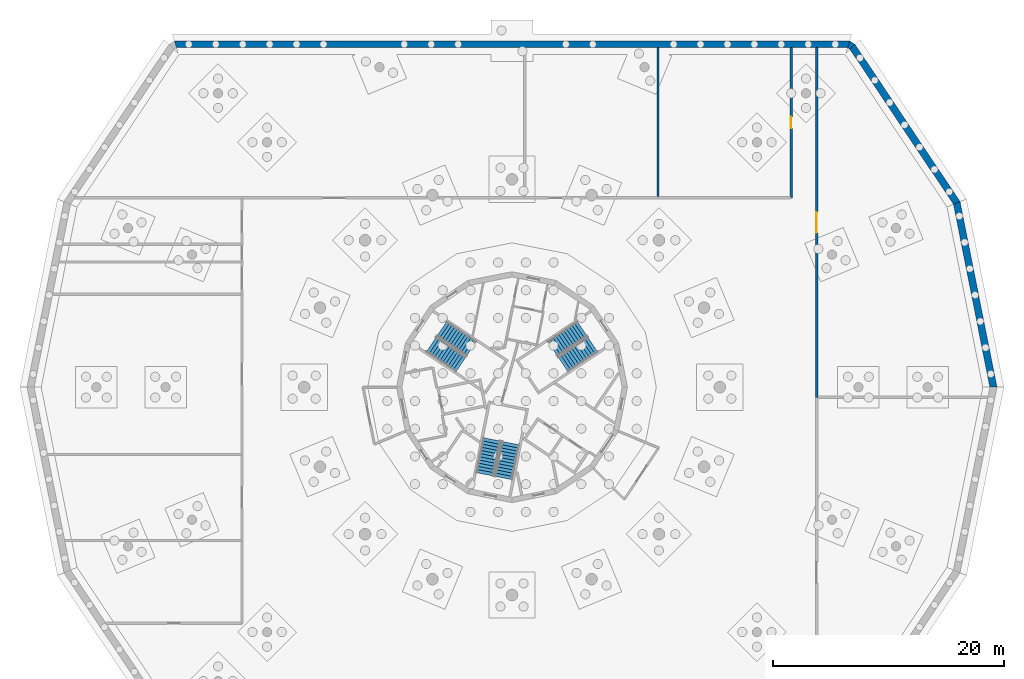
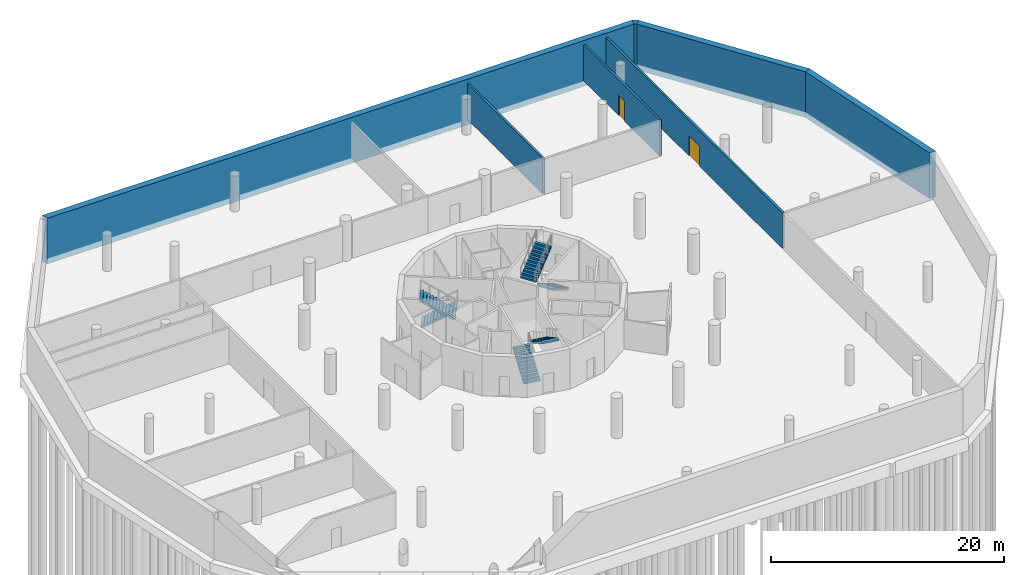
# One storey, part 7 of 8: 7 walls, 6 stair flights, 2 doors, 2 openings, 3 elements without a shape of their own.
"""IFC4 building model written with IfcOpenShell, lengths in metres."""

from ifc_helpers import new_model, si_unit, direction, frame, frame_2d, origin, place, context, subcontext, project, spatial, polyline, rectangle, outline, extrude, material, layer, layer_set, type_object, element, fill, aggregate, save


model = new_model("IFC4")

# Units and contexts
model_context = context("Model", 3, precision=1e-05, world=origin(), true_north=direction((0.0, 1.0)))
body_context = subcontext(model_context, "Body", "Model", "MODEL_VIEW")
ifc_project = project(units=[si_unit("LENGTHUNIT", "METRE"), si_unit("AREAUNIT", "SQUARE_METRE"), si_unit("VOLUMEUNIT", "CUBIC_METRE"), si_unit("PLANEANGLEUNIT", "RADIAN"), si_unit("MASSUNIT", "GRAM", prefix="KILO")], contexts=[model_context])

# Site, building, storey
site_placement = place(None, origin())
site = spatial("IfcSite", under=ifc_project, at=site_placement, CompositionType="ELEMENT")
building_placement = place(site_placement, origin())
building = spatial("IfcBuilding", under=site, at=building_placement, Name="Ceibo Conservatory and Research Tower", CompositionType="ELEMENT")
storey_placement = place(building_placement, frame((0.0, 0.0, -4.199951171875)))
storey = spatial("IfcBuildingStorey", under=building, at=storey_placement, Name="B1", CompositionType="ELEMENT", Elevation=-4.199951171875)

# Wall
ifc_material_1 = material(Name="Masonry blockwork", Category="masonry")
ifc_layer_1 = layer(ifc_material_1, 0.199951171875)
ifc_layer_set_1 = layer_set([ifc_layer_1], Name="Masonry blockwork")
wall_type_1 = type_object("IfcWallType", Name="Compartment wall 200 EI 120", PredefinedType="SOLIDWALL", material=ifc_layer_set_1)
wall_1_placement = place(storey_placement, frame((60.639892578125, 149.419921875, 0.0), z_axis=(0.0, 0.0, 1.0), x_axis=(0.0, -1.0, 0.0)))
element("IfcWall", 1, at=wall_1_placement, inside=storey, type_object=wall_type_1, Name="Partition B1.017", PredefinedType="SOLIDWALL", context=body_context, shape_type="SweptSolid", body=[
    extrude(rectangle(XDim=12.9248046875, YDim=0.199951171875, at=frame_2d((6.46240234375, 0.0))), origin(), (0.0, 0.0, 1.0), 3.75),
])

# Wall, opening, door
wall_2_placement = place(storey_placement, frame((72.179931640625, 149.419921875, 0.0), z_axis=(0.0, 0.0, 1.0), x_axis=(0.0, -1.0, 0.0)))
wall_2 = element("IfcWall", 2, at=wall_2_placement, inside=storey, type_object=wall_type_1, Name="Partition B1.020", PredefinedType="SOLIDWALL", context=body_context, shape_type="SweptSolid", body=[
    extrude(rectangle(XDim=13.02001953125, YDim=0.199951171875, at=frame_2d((6.510009765625, 0.0))), origin(), (0.0, 0.0, 1.0), 3.75),
])
opening_1_placement = place(wall_2_placement, frame((6.010009765625, 0.0, 0.0)))
opening_1 = element("IfcOpeningElement", 3, at=opening_1_placement, cuts=wall_2, Name="Opening PB1-09", PredefinedType="OPENING", context=body_context, shape_type="SweptSolid", body=[
    extrude(rectangle(XDim=1.0, YDim=2.10009765625, at=frame_2d((0.5, 1.050048828125))), frame((0.0, 0.10986328125, 0.0), z_axis=(0.0, -1.0, 0.0), x_axis=(1.0, 0.0, 0.0)), (0.0, 0.0, 1.0), 0.219970703125),
])
ifc_material_2 = material(Name="Galvanised sheet steel DX51D", Category="steel")
door_type_1 = type_object("IfcDoorType", Name="Door fire single wide 1000x2100 EI 120 (left hand)", OperationType="SINGLE_SWING_LEFT", PredefinedType="DOOR", material=ifc_material_2)
door_1_placement = place(opening_1_placement, origin())
door_1 = element("IfcDoor", 4, at=door_1_placement, inside=storey, type_object=door_type_1, Name="Cold store insulated door", OperationType="SINGLE_SWING_LEFT", OverallHeight=2.10009765625, OverallWidth=1.0, PredefinedType="DOOR", context=body_context, shape_type="SweptSolid", body=[
    extrude(rectangle(XDim=1.0, YDim=2.10009765625, at=frame_2d((0.5, 1.050048828125))), frame((0.0, 0.02490234375, 0.0), z_axis=(0.0, -1.0, 0.0), x_axis=(1.0, 0.0, 0.0)), (0.0, 0.0, 1.0), 0.050048828125),
])
fill(opening_1, door_1)

wall_3_placement = place(storey_placement, frame((74.38818359375, 119.1201171875, 0.0), z_axis=(0.0, 0.0, 1.0), x_axis=(0.0, 1.0, 0.0)))
wall_3 = element("IfcWall", 5, at=wall_3_placement, inside=storey, type_object=wall_type_1, Name="Partition B1.023", PredefinedType="SOLIDWALL", context=body_context, shape_type="SweptSolid", body=[
    extrude(rectangle(XDim=30.2998046875, YDim=0.199951171875, at=frame_2d((15.14990234375, 0.0))), origin(), (0.0, 0.0, 1.0), 3.75),
])
opening_2_placement = place(wall_3_placement, frame((14.25, 0.0, 0.0)))
opening_2 = element("IfcOpeningElement", 6, at=opening_2_placement, cuts=wall_3, Name="Opening PB1-10", PredefinedType="OPENING", context=body_context, shape_type="SweptSolid", body=[
    extrude(rectangle(XDim=1.800048828125, YDim=2.10009765625, at=frame_2d((0.89990234375, 1.050048828125))), frame((0.0, 0.10986328125, 0.0), z_axis=(0.0, -1.0, 0.0), x_axis=(1.0, 0.0, 0.0)), (0.0, 0.0, 1.0), 0.219970703125),
])
door_type_2 = type_object("IfcDoorType", Name="Door plant double 1800x2100 EI 120", OperationType="DOUBLE_DOOR_SINGLE_SWING", PredefinedType="DOOR", material=ifc_material_2)
door_2_placement = place(opening_2_placement, frame((1.800048828125, 0.0, 0.0), z_axis=(0.0, 0.0, 1.0), x_axis=(-1.0, 0.0, 0.0)))
door_2 = element("IfcDoor", 7, at=door_2_placement, inside=storey, type_object=door_type_2, Name="Door PB1-10", OperationType="DOUBLE_DOOR_SINGLE_SWING", OverallHeight=2.10009765625, OverallWidth=1.800048828125, PredefinedType="DOOR", context=body_context, shape_type="SweptSolid", body=[
    extrude(rectangle(XDim=1.800048828125, YDim=2.10009765625, at=frame_2d((0.89990234375, 1.050048828125))), frame((0.0, 0.02490234375, 0.0), z_axis=(0.0, -1.0, 0.0), x_axis=(1.0, 0.0, 0.0)), (0.0, 0.0, 1.0), 0.050048828125),
])
fill(opening_2, door_2)

# Walls
ifc_material_3 = material(Name="Concrete C40/50", Category="concrete")
ifc_layer_2 = layer(ifc_material_3, 0.60009765625)
ifc_layer_set_2 = layer_set([ifc_layer_2], Name="Concrete C40/50")
wall_type_2 = type_object("IfcWallType", Name="RC retaining wall 600 C40", PredefinedType="SOLIDWALL", material=ifc_layer_set_2)
wall_4_placement = place(storey_placement, frame((77.482177734375, 149.482177734375, -0.60009765625), z_axis=(0.0, 0.0, 1.0), x_axis=(-0.831474929591, 0.555562275053, 0.0)))
element("IfcWall", 8, at=wall_4_placement, inside=storey, type_object=wall_type_2, Name="Retaining wall 01", PredefinedType="SOLIDWALL", context=body_context, shape_type="SweptSolid", body=[
    extrude(outline(polyline([(-0.0595703125, -0.300048828125), (0.483154296875, -0.300048828125), (0.301025390625, 0.300048828125), (0.0595703125, 0.300048828125), (-0.0595703125, -0.300048828125)])), origin(), (0.0, 0.0, 1.0), 4.800048828125),
])
wall_5_placement = place(storey_placement, frame((77.15625, 149.699951171875, -0.60009765625), z_axis=(0.0, 0.0, 1.0), x_axis=(-1.0, 0.0, 0.0)))
element("IfcWall", 9, at=wall_5_placement, inside=storey, type_object=wall_type_2, Name="Retaining wall 02", PredefinedType="SOLIDWALL", context=body_context, shape_type="SweptSolid", body=[
    extrude(outline(polyline([(-0.091064453125, -0.300048828125), (58.403564453125, -0.300048828125), (58.221435546875, 0.300048828125), (0.091064453125, 0.300048828125), (-0.091064453125, -0.300048828125)])), origin(), (0.0, 0.0, 1.0), 4.800048828125),
])
wall_6_placement = place(storey_placement, frame((89.694091796875, 120.0, -0.60009765625), z_axis=(0.0, 0.0, 1.0), x_axis=(-0.195094380607, 0.980784473091, 0.0)))
element("IfcWall", 10, at=wall_6_placement, inside=storey, type_object=wall_type_2, Name="Retaining wall 13", PredefinedType="SOLIDWALL", context=body_context, shape_type="SweptSolid", body=[
    extrude(outline(polyline([(-0.0595703125, -0.300048828125), (16.32763671875, -0.300048828125), (16.20849609375, 0.300048828125), (0.0595703125, 0.300048828125), (-0.0595703125, -0.300048828125)])), origin(), (0.0, 0.0, 1.0), 4.800048828125),
])
wall_7_placement = place(storey_placement, frame((86.520263671875, 135.95556640625, -0.60009765625), z_axis=(0.0, 0.0, 1.0), x_axis=(-0.555565694596, 0.831472644762, 0.0)))
element("IfcWall", 11, at=wall_7_placement, inside=storey, type_object=wall_type_2, Name="Retaining wall 14", PredefinedType="SOLIDWALL", context=body_context, shape_type="SweptSolid", body=[
    extrude(outline(polyline([(-0.0595703125, -0.300048828125), (16.327880859375, -0.300048828125), (16.208740234375, 0.300048828125), (0.0595703125, 0.300048828125), (-0.0595703125, -0.300048828125)])), origin(), (0.0, 0.0, 1.0), 4.800048828125),
])

# Stair, stair flights
ifc_material_4 = material(Name="Concrete C35/45", Category="concrete")
stair_type = type_object("IfcStairType", Name="Escape stair 175 x 280", PredefinedType="HALF_TURN_STAIR", material=ifc_material_4)
stair_1_placement = place(storey_placement, origin())
stair_1 = element("IfcStair", 12, at=stair_1_placement, inside=storey, type_object=stair_type, Name="Escape stair ST1 B1", PredefinedType="HALF_TURN_STAIR")
stair_flight_type = type_object("IfcStairFlightType", Name="Escape stair flight 175", PredefinedType="STRAIGHT", material=ifc_material_4)
stair_flight_1_placement = place(storey_placement, frame((54.991943359375, 123.6796875, 0.0), z_axis=(0.0, 0.0, 1.0), x_axis=(-0.831469612303, -0.55557023302, 0.0)))
stair_flight_1 = element("IfcStairFlight", 13, at=stair_flight_1_placement, type_object=stair_flight_type, Name="ST1 flight 1", NumberOfRisers=12, NumberOfTreads=11, PredefinedType="STRAIGHT", RiserHeight=0.175, TreadLength=0.28, context=body_context, shape_type="SweptSolid", body=[
    extrude(outline(polyline([(0.0, 0.0), (0.0, 0.175048828125), (0.280029296875, 0.175048828125), (0.280029296875, 0.35009765625), (0.56005859375, 0.35009765625), (0.56005859375, 0.52490234375), (0.840087890625, 0.52490234375), (0.840087890625, 0.699951171875), (1.1201171875, 0.699951171875), (1.1201171875, 0.875), (1.39990234375, 0.875), (1.39990234375, 1.050048828125), (1.679931640625, 1.050048828125), (1.679931640625, 1.22509765625), (1.9599609375, 1.22509765625), (1.9599609375, 1.39990234375), (2.239990234375, 1.39990234375), (2.239990234375, 1.574951171875), (2.52001953125, 1.574951171875), (2.52001953125, 1.75), (2.800048828125, 1.75), (2.800048828125, 1.925048828125), (3.080078125, 1.925048828125), (3.080078125, 2.10009765625), (3.080078125, 1.748291015625), (0.28271484375, 0.0), (0.0, 0.0)])), frame((0.0, 0.75, 0.0), z_axis=(0.0, -1.0, 0.0), x_axis=(1.0, 0.0, 0.0)), (0.0, 0.0, 1.0), 1.5),
])
stair_flight_2_placement = place(storey_placement, frame((51.514404296875, 123.34033203125, 2.099853515625), z_axis=(0.0, 0.0, 1.0), x_axis=(0.831469612303, 0.55557023302, 0.0)))
stair_flight_2 = element("IfcStairFlight", 14, at=stair_flight_2_placement, type_object=stair_flight_type, Name="ST1 flight 2", NumberOfRisers=12, NumberOfTreads=11, PredefinedType="STRAIGHT", RiserHeight=0.175, TreadLength=0.28, context=body_context, shape_type="SweptSolid", body=[
    extrude(outline(polyline([(0.0, 0.0), (0.0, 0.175048828125), (0.280029296875, 0.175048828125), (0.280029296875, 0.35009765625), (0.56005859375, 0.35009765625), (0.56005859375, 0.52490234375), (0.840087890625, 0.52490234375), (0.840087890625, 0.699951171875), (1.1201171875, 0.699951171875), (1.1201171875, 0.875), (1.39990234375, 0.875), (1.39990234375, 1.050048828125), (1.679931640625, 1.050048828125), (1.679931640625, 1.22509765625), (1.9599609375, 1.22509765625), (1.9599609375, 1.39990234375), (2.239990234375, 1.39990234375), (2.239990234375, 1.574951171875), (2.52001953125, 1.574951171875), (2.52001953125, 1.75), (2.800048828125, 1.75), (2.800048828125, 1.925048828125), (3.080078125, 1.925048828125), (3.080078125, 2.10009765625), (3.080078125, 1.748291015625), (0.28271484375, 0.0), (0.0, 0.0)])), frame((0.0, 0.75, 0.0), z_axis=(0.0, -1.0, 0.0), x_axis=(1.0, 0.0, 0.0)), (0.0, 0.0, 1.0), 1.5),
])
aggregate(stair_1, [stair_flight_1, stair_flight_2])

stair_2_placement = place(storey_placement, origin())
stair_2 = element("IfcStair", 15, at=stair_2_placement, inside=storey, type_object=stair_type, Name="Escape stair ST2 B1", PredefinedType="HALF_TURN_STAIR")
stair_flight_3_placement = place(storey_placement, frame((41.9248046875, 125.051513671875, 0.0), z_axis=(0.0, 0.0, 1.0), x_axis=(0.831469612303, -0.55557023302, 0.0)))
stair_flight_3 = element("IfcStairFlight", 16, at=stair_flight_3_placement, type_object=stair_flight_type, Name="ST2 flight 1", NumberOfRisers=12, NumberOfTreads=11, PredefinedType="STRAIGHT", RiserHeight=0.175, TreadLength=0.28, context=body_context, shape_type="SweptSolid", body=[
    extrude(outline(polyline([(0.0, 0.0), (0.0, 0.175048828125), (0.280029296875, 0.175048828125), (0.280029296875, 0.35009765625), (0.56005859375, 0.35009765625), (0.56005859375, 0.52490234375), (0.840087890625, 0.52490234375), (0.840087890625, 0.699951171875), (1.1201171875, 0.699951171875), (1.1201171875, 0.875), (1.39990234375, 0.875), (1.39990234375, 1.050048828125), (1.679931640625, 1.050048828125), (1.679931640625, 1.22509765625), (1.9599609375, 1.22509765625), (1.9599609375, 1.39990234375), (2.239990234375, 1.39990234375), (2.239990234375, 1.574951171875), (2.52001953125, 1.574951171875), (2.52001953125, 1.75), (2.800048828125, 1.75), (2.800048828125, 1.925048828125), (3.080078125, 1.925048828125), (3.080078125, 2.10009765625), (3.080078125, 1.748291015625), (0.28271484375, 0.0), (0.0, 0.0)])), frame((0.0, 0.75, 0.0), z_axis=(0.0, -1.0, 0.0), x_axis=(1.0, 0.0, 0.0)), (0.0, 0.0, 1.0), 1.5),
])
stair_flight_4_placement = place(storey_placement, frame((43.569091796875, 121.968505859375, 2.099853515625), z_axis=(0.0, 0.0, 1.0), x_axis=(-0.831469612303, 0.55557023302, 0.0)))
stair_flight_4 = element("IfcStairFlight", 17, at=stair_flight_4_placement, type_object=stair_flight_type, Name="ST2 flight 2", NumberOfRisers=12, NumberOfTreads=11, PredefinedType="STRAIGHT", RiserHeight=0.175, TreadLength=0.28, context=body_context, shape_type="SweptSolid", body=[
    extrude(outline(polyline([(0.0, 0.0), (0.0, 0.175048828125), (0.280029296875, 0.175048828125), (0.280029296875, 0.35009765625), (0.56005859375, 0.35009765625), (0.56005859375, 0.52490234375), (0.840087890625, 0.52490234375), (0.840087890625, 0.699951171875), (1.1201171875, 0.699951171875), (1.1201171875, 0.875), (1.39990234375, 0.875), (1.39990234375, 1.050048828125), (1.679931640625, 1.050048828125), (1.679931640625, 1.22509765625), (1.9599609375, 1.22509765625), (1.9599609375, 1.39990234375), (2.239990234375, 1.39990234375), (2.239990234375, 1.574951171875), (2.52001953125, 1.574951171875), (2.52001953125, 1.75), (2.800048828125, 1.75), (2.800048828125, 1.925048828125), (3.080078125, 1.925048828125), (3.080078125, 2.10009765625), (3.080078125, 1.748291015625), (0.28271484375, 0.0), (0.0, 0.0)])), frame((0.0, 0.75, 0.0), z_axis=(0.0, -1.0, 0.0), x_axis=(1.0, 0.0, 0.0)), (0.0, 0.0, 1.0), 1.5),
])
aggregate(stair_2, [stair_flight_3, stair_flight_4])

stair_3_placement = place(storey_placement, origin())
stair_3 = element("IfcStair", 18, at=stair_3_placement, inside=storey, type_object=stair_type, Name="Escape stair ST3 B1", PredefinedType="HALF_TURN_STAIR")
stair_flight_5_placement = place(storey_placement, frame((45.657958984375, 112.4541015625, 0.0), z_axis=(0.0, 0.0, 1.0), x_axis=(0.195090322016, 0.980785280403, 0.0)))
stair_flight_5 = element("IfcStairFlight", 19, at=stair_flight_5_placement, type_object=stair_flight_type, Name="ST3 flight 1", NumberOfRisers=12, NumberOfTreads=11, PredefinedType="STRAIGHT", RiserHeight=0.175, TreadLength=0.28, context=body_context, shape_type="SweptSolid", body=[
    extrude(outline(polyline([(0.0, 0.0), (0.0, 0.175048828125), (0.280029296875, 0.175048828125), (0.280029296875, 0.35009765625), (0.56005859375, 0.35009765625), (0.56005859375, 0.52490234375), (0.840087890625, 0.52490234375), (0.840087890625, 0.699951171875), (1.1201171875, 0.699951171875), (1.1201171875, 0.875), (1.39990234375, 0.875), (1.39990234375, 1.050048828125), (1.679931640625, 1.050048828125), (1.679931640625, 1.22509765625), (1.9599609375, 1.22509765625), (1.9599609375, 1.39990234375), (2.239990234375, 1.39990234375), (2.239990234375, 1.574951171875), (2.52001953125, 1.574951171875), (2.52001953125, 1.75), (2.800048828125, 1.75), (2.800048828125, 1.925048828125), (3.080078125, 1.925048828125), (3.080078125, 2.10009765625), (3.080078125, 1.748291015625), (0.28271484375, 0.0), (0.0, 0.0)])), frame((0.0, 0.75, 0.0), z_axis=(0.0, -1.0, 0.0), x_axis=(1.0, 0.0, 0.0)), (0.0, 0.0, 1.0), 1.5),
])
stair_flight_6_placement = place(storey_placement, frame((47.876953125, 115.153076171875, 2.099853515625), z_axis=(0.0, 0.0, 1.0), x_axis=(-0.195090322016, -0.980785280403, 0.0)))
stair_flight_6 = element("IfcStairFlight", 20, at=stair_flight_6_placement, type_object=stair_flight_type, Name="ST3 flight 2", NumberOfRisers=12, NumberOfTreads=11, PredefinedType="STRAIGHT", RiserHeight=0.175, TreadLength=0.28, context=body_context, shape_type="SweptSolid", body=[
    extrude(outline(polyline([(0.0, 0.0), (0.0, 0.175048828125), (0.280029296875, 0.175048828125), (0.280029296875, 0.35009765625), (0.56005859375, 0.35009765625), (0.56005859375, 0.52490234375), (0.840087890625, 0.52490234375), (0.840087890625, 0.699951171875), (1.1201171875, 0.699951171875), (1.1201171875, 0.875), (1.39990234375, 0.875), (1.39990234375, 1.050048828125), (1.679931640625, 1.050048828125), (1.679931640625, 1.22509765625), (1.9599609375, 1.22509765625), (1.9599609375, 1.39990234375), (2.239990234375, 1.39990234375), (2.239990234375, 1.574951171875), (2.52001953125, 1.574951171875), (2.52001953125, 1.75), (2.800048828125, 1.75), (2.800048828125, 1.925048828125), (3.080078125, 1.925048828125), (3.080078125, 2.10009765625), (3.080078125, 1.748291015625), (0.28271484375, 0.0), (0.0, 0.0)])), frame((0.0, 0.75, 0.0), z_axis=(0.0, -1.0, 0.0), x_axis=(1.0, 0.0, 0.0)), (0.0, 0.0, 1.0), 1.5),
])
aggregate(stair_3, [stair_flight_5, stair_flight_6])

save(model, "model.ifc")
